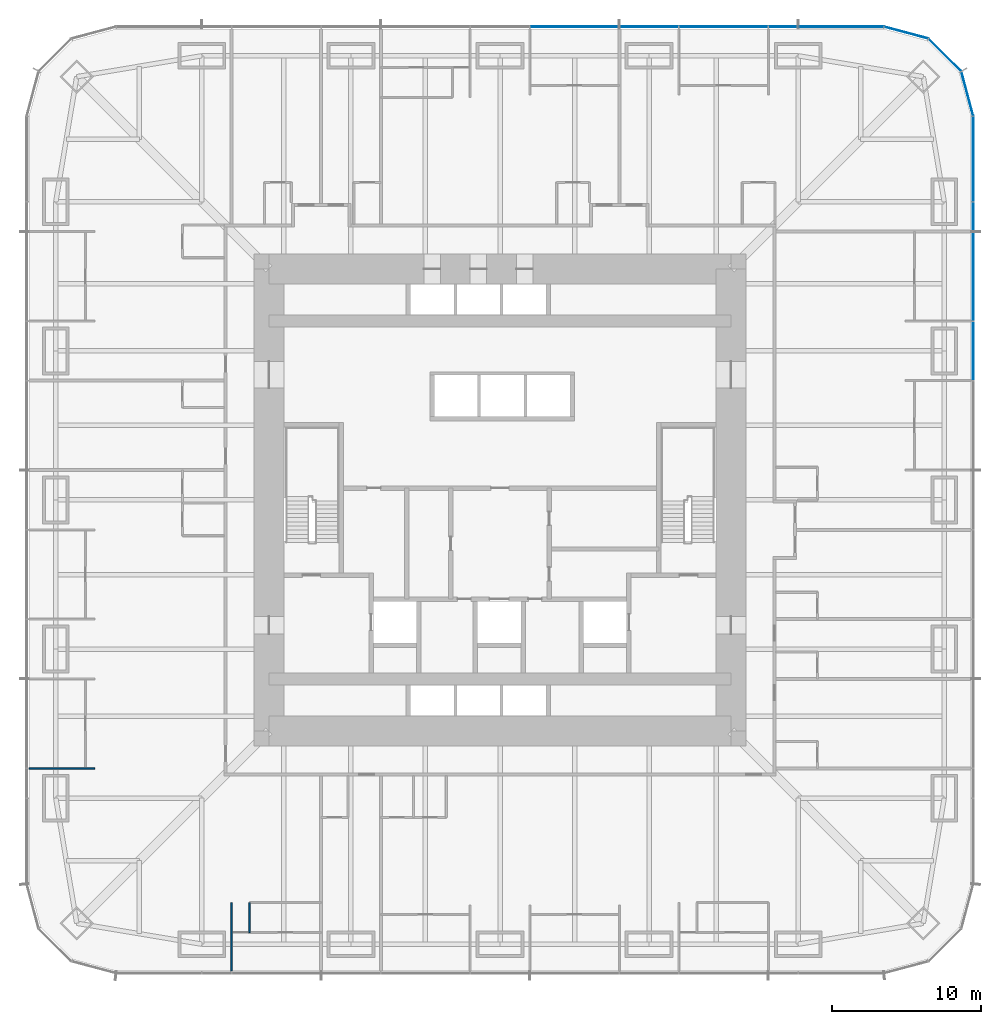
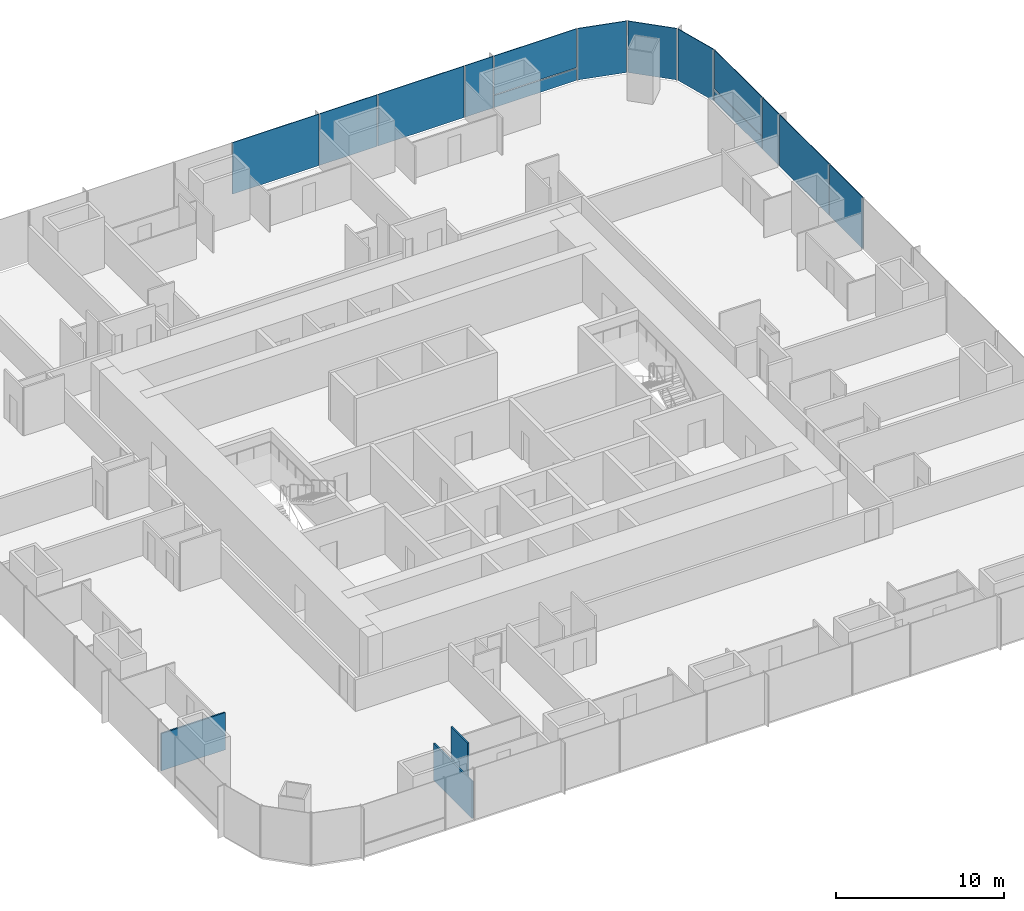
# One storey, part 11 of 17: 14 plates, 3 walls, 3 elements without a shape of their own.
"""IFC4 building model written with IfcOpenShell, lengths in metres."""

from ifc_helpers import new_model, si_unit, direction, frame, frame_2d, origin, origin_2d, place, context, subcontext, project, spatial, rectangle, extrude, material, layer, layer_set, type_object, element, aggregate, save


model = new_model("IFC4")

# Units and contexts
model_context = context("Model", 3, precision=1e-05, world=origin(), true_north=direction((0.0, 1.0)))
body_context = subcontext(model_context, "Body", "Model", "MODEL_VIEW")
ifc_project = project(units=[si_unit("LENGTHUNIT", "METRE"), si_unit("AREAUNIT", "SQUARE_METRE"), si_unit("VOLUMEUNIT", "CUBIC_METRE"), si_unit("PLANEANGLEUNIT", "RADIAN"), si_unit("MASSUNIT", "GRAM", prefix="KILO")], contexts=[model_context])

# Site, building, storey
site_placement = place(None, origin())
site = spatial("IfcSite", under=ifc_project, at=site_placement, CompositionType="ELEMENT")
building_placement = place(site_placement, origin())
building = spatial("IfcBuilding", under=site, at=building_placement, Name="Khuree Lantern Residences", CompositionType="ELEMENT")
storey_placement = place(building_placement, frame((0.0, 0.0, 39.75)))
storey = spatial("IfcBuildingStorey", under=building, at=storey_placement, Name="L09", CompositionType="ELEMENT", Elevation=39.75)

# Curtain wall, plates
ifc_material_1 = material(Name="Bronze anodised aluminium", Category="aluminium")
curtain_wall_type_1 = type_object("IfcCurtainWallType", Name="CW-T2 TOWER CORNER CURTAIN WALL", PredefinedType="USERDEFINED", material=ifc_material_1)
curtain_wall_1_placement = place(storey_placement, origin())
curtain_wall_1 = element("IfcCurtainWall", 1, at=curtain_wall_1_placement, inside=storey, type_object=curtain_wall_type_1, Name="L09 NORTH-EAST CORNER CURTAIN WALL", ObjectType="Faceted corner curtain wall", PredefinedType="USERDEFINED")
ifc_material_2 = material(Name="Bronze tinted triple glazing", Category="glass")
ifc_layer_1 = layer(ifc_material_2, 0.048095703125)
ifc_layer_set_1 = layer_set([ifc_layer_1], Name="FACET PANEL P4")
plate_type_1 = type_object("IfcPlateType", Name="FACET PANEL P4", PredefinedType="CURTAIN_PANEL", material=ifc_layer_set_1)
plate_1_placement = place(storey_placement, frame((31.3486328125, 27.248046875, 0.0), z_axis=(0.0, 0.0, 1.0), x_axis=(-0.258819172081, 0.965925792265, 0.0)))
plate_1 = element("IfcPlate", 2, at=plate_1_placement, type_object=plate_type_1, Name="L09 NORTH-EAST CORNER PANEL 15.1", PredefinedType="CURTAIN_PANEL", context=body_context, shape_type="SweptSolid", body=[
    extrude(rectangle(XDim=3.02978515625, YDim=0.048095703125, at=origin_2d()), origin(), (0.0, 0.0, 1.0), 3.75),
])
plate_2_placement = place(storey_placement, frame((29.84814453125, 29.84814453125, 0.0), z_axis=(0.0, 0.0, 1.0), x_axis=(-0.707106781187, 0.707106781187, 0.0)))
plate_2 = element("IfcPlate", 3, at=plate_2_placement, type_object=plate_type_1, Name="L09 NORTH-EAST CORNER PANEL 16.1", PredefinedType="CURTAIN_PANEL", context=body_context, shape_type="SweptSolid", body=[
    extrude(rectangle(XDim=3.025634765625, YDim=0.048095703125, at=origin_2d()), origin(), (0.0, 0.0, 1.0), 3.75),
])
plate_3_placement = place(storey_placement, frame((27.248046875, 31.3486328125, 0.0), z_axis=(0.0, 0.0, 1.0), x_axis=(-0.965925792265, 0.258819172081, 0.0)))
plate_3 = element("IfcPlate", 4, at=plate_3_placement, type_object=plate_type_1, Name="L09 NORTH-EAST CORNER PANEL 17.1", PredefinedType="CURTAIN_PANEL", context=body_context, shape_type="SweptSolid", body=[
    extrude(rectangle(XDim=3.02978515625, YDim=0.048095703125, at=origin_2d()), origin(), (0.0, 0.0, 1.0), 3.75),
])
aggregate(curtain_wall_1, [plate_1, plate_2, plate_3])

# Curtain wall, plate
curtain_wall_type_2 = type_object("IfcCurtainWallType", Name="CW-T1 TOWER FACE CURTAIN WALL", PredefinedType="USERDEFINED", material=ifc_material_1)
curtain_wall_2_placement = place(storey_placement, origin())
curtain_wall_2 = element("IfcCurtainWall", 5, at=curtain_wall_2_placement, inside=storey, type_object=curtain_wall_type_2, Name="L09 EAST FACE CURTAIN WALL", ObjectType="Stick-built curtain wall", PredefinedType="USERDEFINED")
ifc_material_3 = material(Name="Bronze tinted triple glazing with a ceramic-fritted spandrel band", Category="glass")
ifc_layer_2 = layer(ifc_material_3, 0.048095703125)
ifc_layer_set_2 = layer_set([ifc_layer_2], Name="FIXED LIGHT PANEL P11")
plate_type_2 = type_object("IfcPlateType", Name="FIXED LIGHT PANEL P11", PredefinedType="CURTAIN_PANEL", material=ifc_layer_set_2)
plate_4_placement = place(storey_placement, frame((31.75, 15.0, 0.0), z_axis=(0.0, 0.0, 1.0), x_axis=(0.0, 1.0, 0.0)))
plate_4 = element("IfcPlate", 6, at=plate_4_placement, type_object=plate_type_2, Name="L09 EAST FACE PANEL 12.1", PredefinedType="CURTAIN_PANEL", context=body_context, shape_type="SweptSolid", body=[
    extrude(rectangle(XDim=5.93505859375, YDim=0.048095703125, at=origin_2d()), origin(), (0.0, 0.0, 1.0), 3.75),
])

# Curtain wall, plates
curtain_wall_3_placement = place(storey_placement, origin())
curtain_wall_3 = element("IfcCurtainWall", 7, at=curtain_wall_3_placement, inside=storey, type_object=curtain_wall_type_2, Name="L09 NORTH FACE CURTAIN WALL", ObjectType="Stick-built curtain wall", PredefinedType="USERDEFINED")
plate_5_placement = place(storey_placement, frame((15.0, 31.75, 0.0), z_axis=(0.0, 0.0, 1.0), x_axis=(-1.0, 0.0, 0.0)))
plate_5 = element("IfcPlate", 8, at=plate_5_placement, type_object=plate_type_2, Name="L09 NORTH FACE PANEL 20.1", PredefinedType="CURTAIN_PANEL", context=body_context, shape_type="SweptSolid", body=[
    extrude(rectangle(XDim=5.93505859375, YDim=0.048095703125, at=origin_2d()), origin(), (0.0, 0.0, 1.0), 3.75),
])
plate_6_placement = place(storey_placement, frame((5.0, 31.75, 0.0), z_axis=(0.0, 0.0, 1.0), x_axis=(-1.0, 0.0, 0.0)))
plate_6 = element("IfcPlate", 9, at=plate_6_placement, type_object=plate_type_2, Name="L09 NORTH FACE PANEL 22.1", PredefinedType="CURTAIN_PANEL", context=body_context, shape_type="SweptSolid", body=[
    extrude(rectangle(XDim=5.93505859375, YDim=0.048095703125, at=origin_2d()), origin(), (0.0, 0.0, 1.0), 3.75),
])

# Plate
ifc_material_4 = material(Name="Bronze tinted triple glazing, two aluminium-framed sashes in one frame", Category="aluminium")
ifc_layer_3 = layer(ifc_material_4, 0.048095703125)
ifc_layer_set_3 = layer_set([ifc_layer_3], Name="SASH PAIR PANEL P12")
plate_type_3 = type_object("IfcPlateType", Name="SASH PAIR PANEL P12", PredefinedType="CURTAIN_PANEL", material=ifc_layer_set_3)
plate_7_placement = place(storey_placement, frame((31.75, 10.0, 0.0), z_axis=(0.0, 0.0, 1.0), x_axis=(0.0, 1.0, 0.0)))
plate_7 = element("IfcPlate", 10, at=plate_7_placement, type_object=plate_type_3, Name="L09 EAST FACE PANEL 11.1", PredefinedType="CURTAIN_PANEL", context=body_context, shape_type="SweptSolid", body=[
    extrude(rectangle(XDim=3.93505859375, YDim=0.048095703125, at=origin_2d()), origin(), (0.0, 0.0, 1.0), 3.75),
])

plate_8_placement = place(storey_placement, frame((10.0, 31.75, 0.0), z_axis=(0.0, 0.0, 1.0), x_axis=(-1.0, 0.0, 0.0)))
plate_8 = element("IfcPlate", 11, at=plate_8_placement, type_object=plate_type_3, Name="L09 NORTH FACE PANEL 21.1", PredefinedType="CURTAIN_PANEL", context=body_context, shape_type="SweptSolid", body=[
    extrude(rectangle(XDim=3.93505859375, YDim=0.048095703125, at=origin_2d()), origin(), (0.0, 0.0, 1.0), 3.75),
])

ifc_material_5 = material(Name="Bronze tinted triple glazing, aluminium-framed sash", Category="aluminium")
ifc_layer_4 = layer(ifc_material_5, 0.048095703125)
ifc_layer_set_4 = layer_set([ifc_layer_4], Name="SASH PANEL P3")
plate_type_4 = type_object("IfcPlateType", Name="SASH PANEL P3", PredefinedType="CURTAIN_PANEL", material=ifc_layer_set_4)
plate_9_placement = place(storey_placement, frame((31.75, 19.0, 0.0), z_axis=(0.0, 0.0, 1.0), x_axis=(0.0, 1.0, 0.0)))
plate_9 = element("IfcPlate", 12, at=plate_9_placement, type_object=plate_type_4, Name="L09 EAST FACE PANEL 13.1", PredefinedType="CURTAIN_PANEL", context=body_context, shape_type="SweptSolid", body=[
    extrude(rectangle(XDim=1.93505859375, YDim=0.048095703125, at=origin_2d()), origin(), (0.0, 0.0, 1.0), 3.75),
])

plate_10_placement = place(storey_placement, frame((19.0, 31.75, 0.0), z_axis=(0.0, 0.0, 1.0), x_axis=(-1.0, 0.0, 0.0)))
plate_10 = element("IfcPlate", 13, at=plate_10_placement, type_object=plate_type_4, Name="L09 NORTH FACE PANEL 19.1", PredefinedType="CURTAIN_PANEL", context=body_context, shape_type="SweptSolid", body=[
    extrude(rectangle(XDim=1.93505859375, YDim=0.048095703125, at=origin_2d()), origin(), (0.0, 0.0, 1.0), 3.75),
])

ifc_material_6 = material(Name="Bronze anodised aluminium insulated spandrel", Category="aluminium")
ifc_layer_5 = layer(ifc_material_6, 0.06005859375)
ifc_layer_set_5 = layer_set([ifc_layer_5], Name="SPANDREL PANEL P2")
plate_type_5 = type_object("IfcPlateType", Name="SPANDREL PANEL P2", PredefinedType="CURTAIN_PANEL", material=ifc_layer_set_5)
plate_11_placement = place(storey_placement, frame((31.75, 22.872802734375, 0.0), z_axis=(0.0, 0.0, 1.0), x_axis=(0.0, 1.0, 0.0)))
plate_11 = element("IfcPlate", 14, at=plate_11_placement, type_object=plate_type_5, Name="L09 EAST FACE PANEL 14.1", PredefinedType="CURTAIN_PANEL", context=body_context, shape_type="SweptSolid", body=[
    extrude(rectangle(XDim=5.6806640625, YDim=0.06005859375, at=origin_2d()), origin(), (0.0, 0.0, 1.0), 0.867431640625),
])

plate_12_placement = place(storey_placement, frame((22.872802734375, 31.75, 0.0), z_axis=(0.0, 0.0, 1.0), x_axis=(-1.0, 0.0, 0.0)))
plate_12 = element("IfcPlate", 15, at=plate_12_placement, type_object=plate_type_5, Name="L09 NORTH FACE PANEL 18.1", PredefinedType="CURTAIN_PANEL", context=body_context, shape_type="SweptSolid", body=[
    extrude(rectangle(XDim=5.6806640625, YDim=0.06005859375, at=origin_2d()), origin(), (0.0, 0.0, 1.0), 0.867431640625),
])

ifc_layer_6 = layer(ifc_material_2, 0.048095703125)
ifc_layer_set_6 = layer_set([ifc_layer_6], Name="VISION PANEL P1")
plate_type_6 = type_object("IfcPlateType", Name="VISION PANEL P1", PredefinedType="CURTAIN_PANEL", material=ifc_layer_set_6)
plate_13_placement = place(storey_placement, frame((31.75, 22.873291015625, 0.9326171875), z_axis=(0.0, 0.0, 1.0), x_axis=(0.0, 1.0, 0.0)))
plate_13 = element("IfcPlate", 16, at=plate_13_placement, type_object=plate_type_6, Name="L09 EAST FACE PANEL 14.2", PredefinedType="CURTAIN_PANEL", context=body_context, shape_type="SweptSolid", body=[
    extrude(rectangle(XDim=5.681640625, YDim=0.048095703125, at=origin_2d()), origin(), (0.0, 0.0, 1.0), 2.8173828125),
])

aggregate(curtain_wall_2, [plate_7, plate_4, plate_9, plate_11, plate_13])

plate_14_placement = place(storey_placement, frame((22.873291015625, 31.75, 0.9326171875), z_axis=(0.0, 0.0, 1.0), x_axis=(-1.0, 0.0, 0.0)))
plate_14 = element("IfcPlate", 17, at=plate_14_placement, type_object=plate_type_6, Name="L09 NORTH FACE PANEL 18.2", PredefinedType="CURTAIN_PANEL", context=body_context, shape_type="SweptSolid", body=[
    extrude(rectangle(XDim=5.681640625, YDim=0.048095703125, at=origin_2d()), origin(), (0.0, 0.0, 1.0), 2.8173828125),
])

aggregate(curtain_wall_3, [plate_12, plate_14, plate_10, plate_5, plate_8, plate_6])

# Walls
ifc_material_7 = material(Name="Gypsum board on steel studs", Category="steel")
ifc_layer_7 = layer(ifc_material_7, 0.10009765625)
ifc_layer_set_7 = layer_set([ifc_layer_7], Name="PARTITION PT100")
wall_type = type_object("IfcWallType", Name="PARTITION PT100", PredefinedType="PARTITIONING", material=ifc_layer_set_7)
wall_1_placement = place(storey_placement, frame((-27.199951171875, -18.0, 0.0), z_axis=(0.0, 0.0, 1.0), x_axis=(-1.0, 0.0, 0.0)))
element("IfcWall", 18, at=wall_1_placement, inside=storey, type_object=wall_type, Name="L09 PARTITION 09", PredefinedType="PARTITIONING", context=body_context, shape_type="SweptSolid", body=[
    extrude(rectangle(XDim=4.400146484375, YDim=0.10009765625, at=frame_2d((2.2001953125, 0.0))), origin(), (0.0, 0.0, 1.0), 2.7099609375),
])
wall_2_placement = place(storey_placement, frame((-18.0, -27.0166015625, 0.0), z_axis=(0.0, 0.0, 1.0), x_axis=(0.0, -1.0, 0.0)))
element("IfcWall", 19, at=wall_2_placement, inside=storey, type_object=wall_type, Name="L09 PARTITION 09", PredefinedType="PARTITIONING", context=body_context, shape_type="SweptSolid", body=[
    extrude(rectangle(XDim=4.58349609375, YDim=0.10009765625, at=frame_2d((2.291748046875, 0.0))), origin(), (0.0, 0.0, 1.0), 2.7099609375),
])
wall_3_placement = place(storey_placement, frame((-16.800048828125, -27.0166015625, 0.0), z_axis=(0.0, 0.0, 1.0), x_axis=(0.0, -1.0, 0.0)))
element("IfcWall", 20, at=wall_3_placement, inside=storey, type_object=wall_type, Name="L09 PARTITION 09", PredefinedType="PARTITIONING", context=body_context, shape_type="SweptSolid", body=[
    extrude(rectangle(XDim=2.0, YDim=0.10009765625, at=frame_2d((1.0, 0.0))), origin(), (0.0, 0.0, 1.0), 3.5),
])

save(model, "model.ifc")
